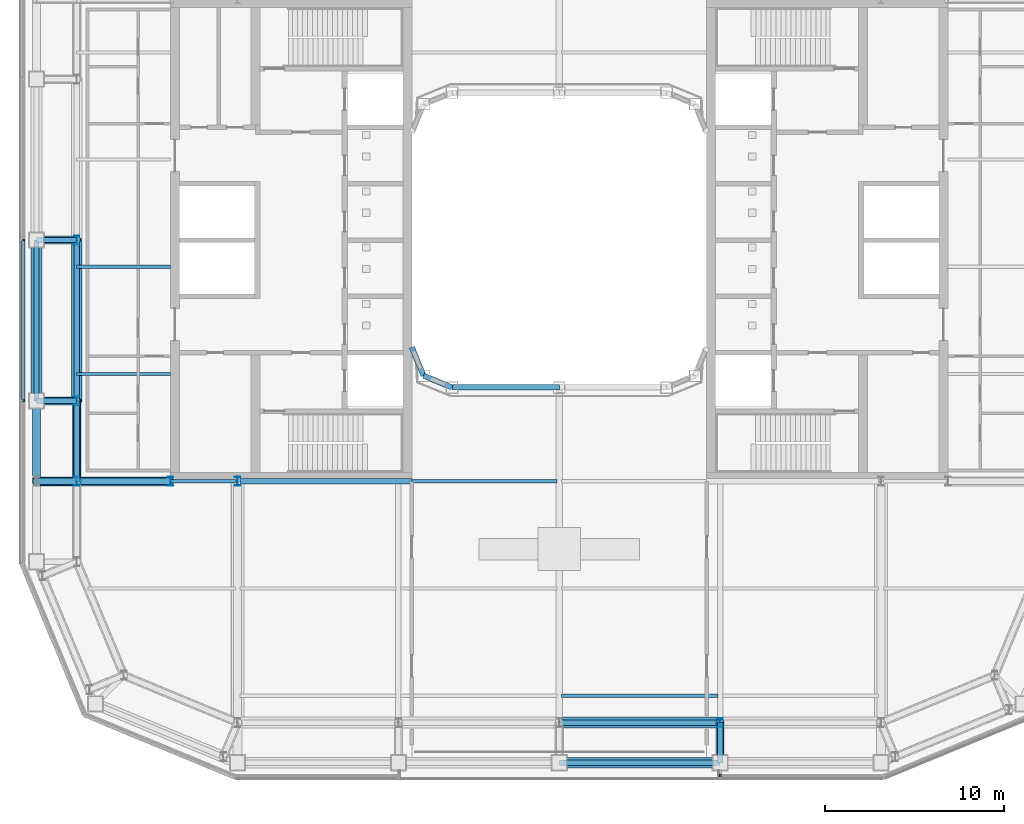
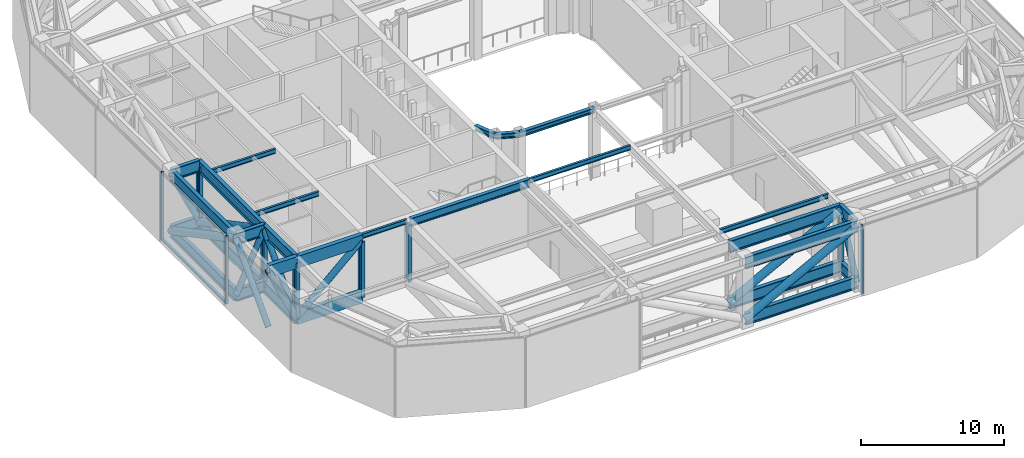
# One storey, part 3 of 22: 28 beams, 21 members, 2 elements without a shape of their own.
"""IFC4 building model written with IfcOpenShell, lengths in metres."""

import ifcopenshell
import ifcopenshell.guid

model = None  # the IFC model being written
_history = None  # IfcOwnerHistory: only IFC2X3 demands one
_inside = {}  # id of a spatial element -> (the spatial element, [elements in it])
_under = {}  # id of a project, library or spatial element -> (it, [spatial elements below it])
_declared = {}  # id of a project -> (the project, [libraries it declares])
_typed = {}  # id of a type object -> (the type object, [elements of that type])
_made_of = {}  # id of a material, layer set ... -> (it, [elements and type objects made of it])


def new_model(schema):
    """Start an empty IFC model of exactly this schema.

    Asked for "IFC4X3", IfcOpenShell would pick the latest addendum, in which some entities
    have other attributes; the version numbers below select the first issue.
    IFC2X3 requires an IfcOwnerHistory on every rooted entity: one is made here for all.
    """
    global model, _history
    if schema == "IFC4X3":
        model = ifcopenshell.file(schema_version=(4, 3, 0, 0))
    else:
        model = ifcopenshell.file(schema=schema)
    _inside.clear()
    _under.clear()
    _declared.clear()
    _typed.clear()
    _made_of.clear()
    _history = None
    if model.schema == "IFC2X3":
        org = make("IfcOrganization", Name="unknown")
        user = make(
            "IfcPersonAndOrganization",
            ThePerson=make("IfcPerson", FamilyName="unknown"),
            TheOrganization=org,
        )
        app = make(
            "IfcApplication",
            ApplicationDeveloper=org,
            Version="unknown",
            ApplicationFullName="unknown",
            ApplicationIdentifier="unknown",
        )
        _history = make(
            "IfcOwnerHistory",
            OwningUser=user,
            OwningApplication=app,
            ChangeAction="ADDED",
            CreationDate=0,
        )
    return model


def make(cls, **values):
    """One entity of the class cls with the attributes given. An attribute that is None is left unset."""
    return model.create_entity(
        cls, **{name: value for name, value in values.items() if value is not None}
    )


def rooted(cls, **values):
    """An entity with a GlobalId (a new one), such as an element, a storey or a relation."""
    return make(cls, GlobalId=ifcopenshell.guid.new(), OwnerHistory=_history, **values)


def si_unit(unit_type, name, prefix=None):
    """IfcSIUnit, for example si_unit("LENGTHUNIT", "METRE", prefix="MILLI")."""
    return make("IfcSIUnit", UnitType=unit_type, Prefix=prefix, Name=name)


def assignment(units):
    """IfcUnitAssignment: the units of a project."""
    return None if units is None else make("IfcUnitAssignment", Units=units)


def point(xyz):
    """IfcCartesianPoint."""
    return None if xyz is None else make("IfcCartesianPoint", Coordinates=xyz)


def direction(xyz):
    """IfcDirection."""
    return None if xyz is None else make("IfcDirection", DirectionRatios=xyz)


def frame(location, z_axis=None, x_axis=None):
    """IfcAxis2Placement3D, a coordinate frame: its origin and axes. An axis left out is left unset."""
    return make(
        "IfcAxis2Placement3D",
        Location=point(location),
        Axis=direction(z_axis),
        RefDirection=direction(x_axis),
    )


def frame_2d(location, x_axis=None):
    """IfcAxis2Placement2D, a coordinate frame in the plane: its origin and x axis."""
    return make(
        "IfcAxis2Placement2D", Location=point(location), RefDirection=direction(x_axis)
    )


def origin():
    """The frame at (0, 0, 0) with its axes left unset."""
    return frame((0.0, 0.0, 0.0))


def origin_2d():
    """The frame at (0, 0) in the plane with its x axis left unset."""
    return frame_2d((0.0, 0.0))


def place(relative_to, where):
    """IfcLocalPlacement: puts the frame where relative to a parent placement (None: the world)."""
    return make(
        "IfcLocalPlacement", PlacementRelTo=relative_to, RelativePlacement=where
    )


def context(
    kind, dimensions, precision=None, world=None, true_north=None, identifier=None
):
    """IfcGeometricRepresentationContext, for example the 3D "Model" context."""
    return make(
        "IfcGeometricRepresentationContext",
        ContextIdentifier=identifier,
        ContextType=kind,
        CoordinateSpaceDimension=dimensions,
        Precision=precision,
        WorldCoordinateSystem=world,
        TrueNorth=true_north,
    )


def subcontext(parent, identifier, kind, view, scale=None):
    """IfcGeometricRepresentationSubContext, for example "Body" below "Model"."""
    return make(
        "IfcGeometricRepresentationSubContext",
        ContextIdentifier=identifier,
        ContextType=kind,
        ParentContext=parent,
        TargetScale=scale,
        TargetView=view,
    )


def project(units=None, contexts=None):
    """IfcProject with its units and contexts."""
    return rooted(
        "IfcProject",
        Name="project",
        RepresentationContexts=contexts,
        UnitsInContext=assignment(units),
    )


def spatial(cls, under=None, at=None, **own):
    """A site, building, storey or space (cls), placed at a placement, below another one or the project."""
    s = rooted(cls, ObjectPlacement=at, **own)
    if under is not None:
        _under.setdefault(under.id(), (under, []))[1].append(s)
    return s


def profile(cls, at=None, kind="AREA", **sizes):
    """A parametric profile (cls). Its sizes go by their IFC names, for example OverallWidth=200.0."""
    return make(cls, ProfileType=kind, Position=at, **sizes)


def rectangle(**sizes):
    """IfcRectangleProfileDef."""
    return profile("IfcRectangleProfileDef", **sizes)


def hollow_rectangle(**sizes):
    """IfcRectangleHollowProfileDef."""
    return profile("IfcRectangleHollowProfileDef", **sizes)


def hollow_circle(**sizes):
    """IfcCircleHollowProfileDef."""
    return profile("IfcCircleHollowProfileDef", **sizes)


def i_section(**sizes):
    """IfcIShapeProfileDef."""
    return profile("IfcIShapeProfileDef", **sizes)


def extrude(swept, where, along, depth):
    """IfcExtrudedAreaSolid: the profile swept, set in the frame where, extruded along a direction by depth."""
    return make(
        "IfcExtrudedAreaSolid",
        SweptArea=swept,
        Position=where,
        ExtrudedDirection=direction(along),
        Depth=depth,
    )


def shape(context_of_items, identifier, shape_type, items):
    """IfcShapeRepresentation: the items that make up one representation, for example the "Body"."""
    return make(
        "IfcShapeRepresentation",
        ContextOfItems=context_of_items,
        RepresentationIdentifier=identifier,
        RepresentationType=shape_type,
        Items=items,
    )


def material(Name=None, Category=None):
    """IfcMaterial."""
    return make("IfcMaterial", Name=Name, Category=Category)


def layer(
    of_material, thickness, ventilated=None, Name=None, Category=None, Priority=None
):
    """IfcMaterialLayer: one layer of a wall or slab, of a material (None: an air gap)."""
    return make(
        "IfcMaterialLayer",
        Material=of_material,
        LayerThickness=thickness,
        IsVentilated=ventilated,
        Name=Name,
        Category=Category,
        Priority=Priority,
    )


def layer_set(layers, Name=None):
    """IfcMaterialLayerSet."""
    return make("IfcMaterialLayerSet", MaterialLayers=layers, LayerSetName=Name)


def material_profile(
    of_material, cross_section, Name=None, Category=None, Priority=None
):
    """IfcMaterialProfile: a cross section and its material."""
    return make(
        "IfcMaterialProfile",
        Name=Name,
        Material=of_material,
        Profile=cross_section,
        Priority=Priority,
        Category=Category,
    )


def profile_set(profiles, Name=None, composite=None):
    """IfcMaterialProfileSet."""
    return make(
        "IfcMaterialProfileSet",
        Name=Name,
        MaterialProfiles=profiles,
        CompositeProfile=composite,
    )


def made_of(thing, what):
    """Note that an element or type object is made of a material, layer set ...; save() writes the relation."""
    if what is not None:
        _made_of.setdefault(what.id(), (what, []))[1].append(thing)
    return thing


def type_object(cls, material=None, **own):
    """A type object (cls), such as IfcWallType, which elements share."""
    return made_of(rooted(cls, **own), material)


def element(
    cls,
    number,
    at=None,
    inside=None,
    cuts=None,
    type_object=None,
    material=None,
    context=None,
    identifier="Body",
    shape_type=None,
    held_by="IfcProductDefinitionShape",
    body=None,
    shapes=None,
    **own,
):
    """One element of the class cls, such as IfcWall. Its Tag is "e" and its number.

    at: its placement. inside: the storey or other place that contains it. cuts: it is an
    opening in that element (IfcRelVoidsElement). A single representation is given by context,
    identifier, shape_type and body (its items); several are given by shapes. held_by: the class
    of the entity that holds the representations. save() writes the other relations.
    """
    e = rooted(cls, Tag="e%d" % number, ObjectPlacement=at, **own)
    if body is not None:
        shapes = [shape(context, identifier, shape_type, body)]
    if shapes is not None:
        e.Representation = make(held_by, Representations=shapes)
    if inside is not None:
        _inside.setdefault(inside.id(), (inside, []))[1].append(e)
    if cuts is not None:
        rooted(
            "IfcRelVoidsElement", RelatingBuildingElement=cuts, RelatedOpeningElement=e
        )
    if type_object is not None:
        _typed.setdefault(type_object.id(), (type_object, []))[1].append(e)
    return made_of(e, material)


def aggregate(whole, parts):
    """IfcRelAggregates: a whole, such as a stair, and the parts it consists of."""
    return rooted("IfcRelAggregates", RelatingObject=whole, RelatedObjects=parts)


def save(model, path):
    """Write the relations noted so far, then the file.

    IfcRelAggregates (storeys below a building ...), IfcRelContainedInSpatialStructure (elements
    in a storey), IfcRelDefinesByType, IfcRelAssociatesMaterial and IfcRelDeclares: one each for
    every whole, place, type object, material and project.
    """
    for whole, parts in _under.values():
        aggregate(whole, parts)
    for where, things in _inside.values():
        rooted(
            "IfcRelContainedInSpatialStructure",
            RelatedElements=things,
            RelatingStructure=where,
        )
    for kind, things in _typed.values():
        rooted("IfcRelDefinesByType", RelatedObjects=things, RelatingType=kind)
    for what, things in _made_of.values():
        rooted("IfcRelAssociatesMaterial", RelatedObjects=things, RelatingMaterial=what)
    for by, libraries in _declared.values():
        rooted("IfcRelDeclares", RelatingContext=by, RelatedDefinitions=libraries)
    model.write(path)


model = new_model("IFC4")

# Units and contexts
model_context = context("Model", 3, precision=1e-05, world=origin(), true_north=direction((0.0, 1.0)))
body_context = subcontext(model_context, "Body", "Model", "MODEL_VIEW")
ifc_project = project(units=[si_unit("LENGTHUNIT", "METRE"), si_unit("AREAUNIT", "SQUARE_METRE"), si_unit("VOLUMEUNIT", "CUBIC_METRE"), si_unit("PLANEANGLEUNIT", "RADIAN"), si_unit("MASSUNIT", "GRAM", prefix="KILO")], contexts=[model_context])

# Site, building, storey
site_placement = place(None, origin())
site = spatial("IfcSite", under=ifc_project, at=site_placement, CompositionType="ELEMENT")
building_placement = place(site_placement, origin())
building = spatial("IfcBuilding", under=site, at=building_placement, Name="Siwar Civic Tower", CompositionType="ELEMENT")
storey_placement = place(building_placement, frame((0.0, 0.0, 181.199951171875)))
storey = spatial("IfcBuildingStorey", under=building, at=storey_placement, Name="L39", CompositionType="ELEMENT", Elevation=181.199951171875)

# Curtain wall, member
ifc_material_1 = material(Name="Aluminium and glass", Category="aluminium")
ifc_layer = layer(ifc_material_1, 0.199951171875)
ifc_layer_set = layer_set([ifc_layer], Name="Aluminium and glass")
curtain_wall_type = type_object("IfcCurtainWallType", Name="ENV-CW-P", PredefinedType="NOTDEFINED", material=ifc_layer_set)
curtain_wall_1_placement = place(storey_placement, origin())
curtain_wall_1 = element("IfcCurtainWall", 1, at=curtain_wall_1_placement, inside=storey, type_object=curtain_wall_type, Name="Curtain wall P S-03", PredefinedType="NOTDEFINED")
ifc_material_2 = material(Name="Aluminium 6063-T6", Category="aluminium")
ifc_material_profile_1 = material_profile(ifc_material_2, rectangle(XDim=0.199951171875, YDim=0.10009765625, at=origin_2d()), Name="AL 200x100")
ifc_profile_set_1 = profile_set([ifc_material_profile_1], Name="Aluminium 6063-T6")
member_type_1 = type_object("IfcMemberType", Name="ENV-MULLION-P", PredefinedType="MULLION", material=ifc_profile_set_1)
member_1_placement = place(storey_placement, frame((9.0, -30.0, 0.0), z_axis=(0.0, 0.0, 1.0), x_axis=(0.0, 1.0, 0.0)))
member_1 = element("IfcMember", 2, at=member_1_placement, type_object=member_type_1, Name="Mullion P S-03 1", PredefinedType="MULLION", context=body_context, shape_type="SweptSolid", body=[
    extrude(rectangle(XDim=0.199951171875, YDim=0.10009765625, at=origin_2d()), origin(), (0.0, 0.0, 1.0), 5.800048828125),
])
aggregate(curtain_wall_1, [member_1])

# Curtain wall, members
curtain_wall_2_placement = place(storey_placement, origin())
curtain_wall_2 = element("IfcCurtainWall", 3, at=curtain_wall_2_placement, inside=storey, type_object=curtain_wall_type, Name="Curtain wall P W", PredefinedType="NOTDEFINED")
member_2_placement = place(storey_placement, frame((-30.0, 0.0, 0.0), z_axis=(0.0, 0.0, 1.0), x_axis=(1.0, 0.0, 0.0)))
member_2 = element("IfcMember", 4, at=member_2_placement, type_object=member_type_1, Name="Mullion P W 3", PredefinedType="MULLION", context=body_context, shape_type="SweptSolid", body=[
    extrude(rectangle(XDim=0.199951171875, YDim=0.10009765625, at=origin_2d()), origin(), (0.0, 0.0, 1.0), 5.800048828125),
])
member_3_placement = place(storey_placement, frame((-30.0, -9.0, 0.0), z_axis=(0.0, 0.0, 1.0), x_axis=(1.0, 0.0, 0.0)))
member_3 = element("IfcMember", 5, at=member_3_placement, type_object=member_type_1, Name="Mullion P W 4", PredefinedType="MULLION", context=body_context, shape_type="SweptSolid", body=[
    extrude(rectangle(XDim=0.199951171875, YDim=0.10009765625, at=origin_2d()), origin(), (0.0, 0.0, 1.0), 5.800048828125),
])
ifc_material_3 = material(Name="Aluminium 6063-T6", Category="aluminium")
ifc_material_profile_2 = material_profile(ifc_material_3, rectangle(XDim=0.199951171875, YDim=0.1201171875, at=origin_2d()), Name="AL 200x120")
ifc_profile_set_2 = profile_set([ifc_material_profile_2], Name="Aluminium 6063-T6")
member_type_2 = type_object("IfcMemberType", Name="ENV-TRANSOM-P", PredefinedType="USERDEFINED", material=ifc_profile_set_2)
member_4_placement = place(storey_placement, frame((-30.0, -0.050048828125, 0.06005859375), z_axis=(0.0, -1.0, 0.0), x_axis=(1.0, 0.0, 0.0)))
member_4 = element("IfcMember", 6, at=member_4_placement, type_object=member_type_2, Name="Transom P W 3", ObjectType="TRANSOM", PredefinedType="USERDEFINED", context=body_context, shape_type="SweptSolid", body=[
    extrude(rectangle(XDim=0.199951171875, YDim=0.1201171875, at=origin_2d()), origin(), (0.0, 0.0, 1.0), 8.89990234375),
])
aggregate(curtain_wall_2, [member_2, member_3, member_4])

# Beams
ifc_material_4 = material(Name="Steel S460", Category="steel")
ifc_material_profile_3 = material_profile(ifc_material_4, i_section(OverallWidth=0.302001953125, OverallDepth=1.008056640625, WebThickness=0.02099609375, FlangeThickness=0.0400390625, FilletRadius=0.030029296875, at=origin_2d()), Name="HEM1000")
ifc_profile_set_3 = profile_set([ifc_material_profile_3], Name="Steel S460")
beam_type_1 = type_object("IfcBeamType", Name="STR-BELT-TRUSS-CHORD-HEM1000", PredefinedType="BEAM", material=ifc_profile_set_3)
for number, where, z_axis, x_axis, name in (
    (7, (0.0, -27.0, 0.504150390625), (1.0, 0.0, 0.0), (0.0, 1.0, 0.0), "Belt truss chord"),
    (8, (0.0, -27.0, 5.296142578125), (1.0, 0.0, 0.0), (0.0, 1.0, 0.0), "Belt truss chord"),
    (9, (-27.0, 0.0, 0.504150390625), (0.0, -1.0, 0.0), (1.0, 0.0, 0.0), "Belt truss chord"),
    (10, (-27.0, 0.0, 5.296142578125), (0.0, -1.0, 0.0), (1.0, 0.0, 0.0), "Belt truss chord"),
):
    element("IfcBeam", number, at=place(storey_placement, frame(where, z_axis=z_axis, x_axis=x_axis)), inside=storey, type_object=beam_type_1, Name=name, PredefinedType="BEAM", context=body_context, shape_type="SweptSolid", body=[
        extrude(i_section(OverallWidth=0.302001953125, OverallDepth=1.008056640625, WebThickness=0.02099609375, FlangeThickness=0.0400390625, FilletRadius=0.030029296875, at=origin_2d()), origin(), (0.0, 0.0, 1.0), 9.0),
    ])
for number, where, z_axis, x_axis, name in (
    (11, (-27.0, -9.0, 0.504150390625), (0.0, -1.0, 0.0), (1.0, 0.0, 0.0), "Belt truss chord"),
    (12, (-27.0, -9.0, 5.296142578125), (0.0, -1.0, 0.0), (1.0, 0.0, 0.0), "Belt truss chord"),
):
    element("IfcBeam", number, at=place(storey_placement, frame(where, z_axis=z_axis, x_axis=x_axis)), inside=storey, type_object=beam_type_1, Name=name, PredefinedType="BEAM", context=body_context, shape_type="SweptSolid", body=[
        extrude(i_section(OverallWidth=0.302001953125, OverallDepth=1.008056640625, WebThickness=0.02099609375, FlangeThickness=0.0400390625, FilletRadius=0.030029296875, at=origin_2d()), origin(), (0.0, 0.0, 1.0), 4.5),
    ])
for number, where, z_axis, x_axis, name in (
    (13, (0.0, -29.25, 0.504150390625), (1.0, 0.0, 0.0), (0.0, 1.0, 0.0), "Belt truss chord"),
    (14, (0.0, -29.25, 5.296142578125), (1.0, 0.0, 0.0), (0.0, 1.0, 0.0), "Belt truss chord"),
    (15, (-29.25, 0.0, 0.504150390625), (0.0, -1.0, 0.0), (1.0, 0.0, 0.0), "Belt truss chord"),
    (16, (-29.25, 0.0, 5.296142578125), (0.0, -1.0, 0.0), (1.0, 0.0, 0.0), "Belt truss chord"),
):
    element("IfcBeam", number, at=place(storey_placement, frame(where, z_axis=z_axis, x_axis=x_axis)), inside=storey, type_object=beam_type_1, Name=name, PredefinedType="BEAM", context=body_context, shape_type="SweptSolid", body=[
        extrude(i_section(OverallWidth=0.302001953125, OverallDepth=1.008056640625, WebThickness=0.02099609375, FlangeThickness=0.0400390625, FilletRadius=0.030029296875, at=origin_2d()), origin(), (0.0, 0.0, 1.0), 9.0),
    ])

# Members
ifc_material_5 = material(Name="Steel S355", Category="steel")
ifc_material_profile_4 = material_profile(ifc_material_5, hollow_circle(Radius=0.228515625, WallThickness=0.02001953125, at=origin_2d()), Name="CHS457x20")
ifc_profile_set_4 = profile_set([ifc_material_profile_4], Name="Steel S355")
member_type_3 = type_object("IfcMemberType", Name="STR-BELT-TRUSS-DIAGONAL-CHS457x20", PredefinedType="BRACE", material=ifc_profile_set_4)
for number, where, z_axis, x_axis, name in (
    (17, (-27.0, -13.50341796875, 0.50048828125), (0.0, 0.684545317859, 0.728970306526), (-1.0, 0.0, 0.0), "Belt truss diagonal"),
    (18, (-29.25, -13.50341796875, 0.50048828125), (0.0, 0.684545317859, 0.728970306526), (-1.0, 0.0, 0.0), "Belt truss diagonal"),
):
    element("IfcMember", number, at=place(storey_placement, frame(where, z_axis=z_axis, x_axis=x_axis)), inside=storey, type_object=member_type_3, Name=name, PredefinedType="BRACE", context=body_context, shape_type="SweptSolid", body=[
        extrude(hollow_circle(Radius=0.228515625, WallThickness=0.02001953125, at=origin_2d()), origin(), (0.0, 0.0, 1.0), 6.583740234375),
    ])
for number, where, z_axis, x_axis, name in (
    (19, (9.0, -29.252197265625, 0.49951171875), (0.0, 0.425038765055, 0.905175147803), (-1.0, 0.0, 0.0), "Belt truss diagonal"),
    (20, (-26.997802734375, 0.0, 0.49951171875), (-0.425038765055, 0.0, 0.905175147803), (0.0, -1.0, 0.0), "Belt truss diagonal"),
    (21, (-29.252197265625, -9.0, 0.49951171875), (0.425038765055, 0.0, 0.905175147803), (0.0, 1.0, 0.0), "Belt truss diagonal"),
):
    element("IfcMember", number, at=place(storey_placement, frame(where, z_axis=z_axis, x_axis=x_axis)), inside=storey, type_object=member_type_3, Name=name, PredefinedType="BRACE", context=body_context, shape_type="SweptSolid", body=[
        extrude(hollow_circle(Radius=0.228515625, WallThickness=0.02001953125, at=origin_2d()), origin(), (0.0, 0.0, 1.0), 5.303955078125),
    ])
ifc_material_6 = material(Name="Steel S355", Category="steel")
ifc_material_profile_5 = material_profile(ifc_material_6, hollow_circle(Radius=0.304931640625, WallThickness=0.030029296875, at=origin_2d()), Name="CHS610x30")
ifc_profile_set_5 = profile_set([ifc_material_profile_5], Name="Steel S355")
member_type_4 = type_object("IfcMemberType", Name="STR-BELT-TRUSS-DIAGONAL-CHS610x30", PredefinedType="BRACE", material=ifc_profile_set_5)
for number, where, z_axis, x_axis, name in (
    (22, (-0.00439453125, -27.0, 0.501708984375), (0.882680501151, 0.0, 0.469973544881), (0.0, 1.0, 0.0), "Belt truss diagonal"),
    (23, (-27.0, 0.00439453125, 0.501708984375), (0.0, -0.882680501151, 0.469973544881), (1.0, 0.0, 0.0), "Belt truss diagonal"),
    (24, (-0.00439453125, -29.25, 0.501708984375), (0.882680501151, 0.0, 0.469973544881), (0.0, 1.0, 0.0), "Belt truss diagonal"),
    (25, (-29.25, 0.00439453125, 0.501708984375), (0.0, -0.882680501151, 0.469973544881), (1.0, 0.0, 0.0), "Belt truss diagonal"),
):
    element("IfcMember", number, at=place(storey_placement, frame(where, z_axis=z_axis, x_axis=x_axis)), inside=storey, type_object=member_type_4, Name=name, PredefinedType="BRACE", context=body_context, shape_type="SweptSolid", body=[
        extrude(hollow_circle(Radius=0.304931640625, WallThickness=0.030029296875, at=origin_2d()), origin(), (0.0, 0.0, 1.0), 10.2060546875),
    ])

# Beams
ifc_material_7 = material(Name="Steel S460", Category="steel")
ifc_material_profile_6 = material_profile(ifc_material_7, i_section(OverallWidth=0.302001953125, OverallDepth=1.008056640625, WebThickness=0.02099609375, FlangeThickness=0.0400390625, FilletRadius=0.030029296875, at=origin_2d()), Name="HEM1000")
ifc_profile_set_6 = profile_set([ifc_material_profile_6], Name="Steel S460")
beam_type_2 = type_object("IfcBeamType", Name="STR-BELT-TRUSS-LADDER-CHORD-HEM1000", PredefinedType="BEAM", material=ifc_profile_set_6)
for number, where, z_axis, x_axis, name in (
    (26, (9.0, -27.0, 0.504150390625), (0.0, -1.0, 0.0), (1.0, 0.0, 0.0), "Belt truss ladder chord"),
    (27, (9.0, -27.0, 5.296142578125), (0.0, -1.0, 0.0), (1.0, 0.0, 0.0), "Belt truss ladder chord"),
    (28, (-27.0, 0.0, 0.504150390625), (-1.0, 0.0, 0.0), (0.0, -1.0, 0.0), "Belt truss ladder chord"),
    (29, (-27.0, 0.0, 5.296142578125), (-1.0, 0.0, 0.0), (0.0, -1.0, 0.0), "Belt truss ladder chord"),
    (30, (-27.0, -9.0, 0.504150390625), (-1.0, 0.0, 0.0), (0.0, -1.0, 0.0), "Belt truss ladder chord"),
    (31, (-27.0, -9.0, 5.296142578125), (-1.0, 0.0, 0.0), (0.0, -1.0, 0.0), "Belt truss ladder chord"),
):
    element("IfcBeam", number, at=place(storey_placement, frame(where, z_axis=z_axis, x_axis=x_axis)), inside=storey, type_object=beam_type_2, Name=name, PredefinedType="BEAM", context=body_context, shape_type="SweptSolid", body=[
        extrude(i_section(OverallWidth=0.302001953125, OverallDepth=1.008056640625, WebThickness=0.02099609375, FlangeThickness=0.0400390625, FilletRadius=0.030029296875, at=origin_2d()), origin(), (0.0, 0.0, 1.0), 2.25),
    ])

# Members
ifc_material_8 = material(Name="Steel S355", Category="steel")
ifc_material_profile_7 = material_profile(ifc_material_8, i_section(OverallWidth=0.300048828125, OverallDepth=0.5, WebThickness=0.014404296875, FlangeThickness=0.028076171875, FilletRadius=0.027099609375, at=origin_2d()), Name="HEB500")
ifc_profile_set_7 = profile_set([ifc_material_profile_7], Name="Steel S355")
member_type_5 = type_object("IfcMemberType", Name="STR-BELT-TRUSS-POST-HEB500", PredefinedType="POST", material=ifc_profile_set_7)
for number, where, z_axis, x_axis, name in (
    (32, (-27.0, -13.5, 0.504150390625), (0.0, 0.0, 1.0), (1.0, 0.0, 0.0), "Belt truss post"),
    (33, (-27.0, -9.0, 0.504150390625), (0.0, 0.0, 1.0), (1.0, 0.0, 0.0), "Belt truss post"),
    (34, (-27.0, 0.0, 0.504150390625), (0.0, 0.0, 1.0), (1.0, 0.0, 0.0), "Belt truss post"),
    (35, (9.0, -27.0, 0.504150390625), (0.0, 0.0, 1.0), (1.0, 0.0, 0.0), "Belt truss post"),
):
    element("IfcMember", number, at=place(storey_placement, frame(where, z_axis=z_axis, x_axis=x_axis)), inside=storey, type_object=member_type_5, Name=name, PredefinedType="POST", context=body_context, shape_type="SweptSolid", body=[
        extrude(i_section(OverallWidth=0.300048828125, OverallDepth=0.5, WebThickness=0.014404296875, FlangeThickness=0.028076171875, FilletRadius=0.027099609375, at=origin_2d()), origin(), (0.0, 0.0, 1.0), 4.7919921875),
    ])

# Beams
ifc_material_9 = material(Name="Steel S355", Category="steel")
ifc_material_profile_8 = material_profile(ifc_material_9, i_section(OverallWidth=0.179931640625, OverallDepth=0.39990234375, WebThickness=0.008544921875, FlangeThickness=0.013427734375, FilletRadius=0.02099609375, at=origin_2d()), Name="IPE400")
ifc_profile_set_8 = profile_set([ifc_material_profile_8], Name="Steel S355")
beam_type_3 = type_object("IfcBeamType", Name="STR-FB-IPE400", PredefinedType="JOIST", material=ifc_profile_set_8)
beam_1_placement = place(storey_placement, frame((0.1298828125, -25.5, 5.60009765625), z_axis=(1.0, 0.0, 0.0), x_axis=(0.0, 1.0, 0.0)))
element("IfcBeam", 36, at=beam_1_placement, inside=storey, type_object=beam_type_3, Name="L39/bm/F003", PredefinedType="JOIST", context=body_context, shape_type="SweptSolid", body=[
    extrude(i_section(OverallWidth=0.179931640625, OverallDepth=0.39990234375, WebThickness=0.008544921875, FlangeThickness=0.013427734375, FilletRadius=0.02099609375, at=origin_2d()), origin(), (0.0, 0.0, 1.0), 8.740234375),
])
beam_2_placement = place(storey_placement, frame((-21.75, -13.5, 5.60009765625), z_axis=(1.0, 0.0, 0.0), x_axis=(0.0, 1.0, 0.0)))
element("IfcBeam", 37, at=beam_2_placement, inside=storey, type_object=beam_type_3, Name="L39/bm/F011", PredefinedType="JOIST", context=body_context, shape_type="SweptSolid", body=[
    extrude(i_section(OverallWidth=0.179931640625, OverallDepth=0.39990234375, WebThickness=0.008544921875, FlangeThickness=0.013427734375, FilletRadius=0.02099609375, at=origin_2d()), origin(), (0.0, 0.0, 1.0), 3.6201171875),
])
beam_3_placement = place(storey_placement, frame((-8.25, -13.5, 5.60009765625), z_axis=(1.0, 0.0, 0.0), x_axis=(0.0, 1.0, 0.0)))
element("IfcBeam", 38, at=beam_3_placement, inside=storey, type_object=beam_type_3, Name="L39/bm/F013", PredefinedType="JOIST", context=body_context, shape_type="SweptSolid", body=[
    extrude(i_section(OverallWidth=0.179931640625, OverallDepth=0.39990234375, WebThickness=0.008544921875, FlangeThickness=0.013427734375, FilletRadius=0.02099609375, at=origin_2d()), origin(), (0.0, 0.0, 1.0), 8.1201171875),
])
for number, where, z_axis, x_axis, name in (
    (39, (-27.0, -7.5, 5.60009765625), (1.0, 0.0, 0.0), (0.0, 1.0, 0.0), "L39/bm/F017"),
    (40, (-27.0, -1.5, 5.60009765625), (1.0, 0.0, 0.0), (0.0, 1.0, 0.0), "L39/bm/F019"),
):
    element("IfcBeam", number, at=place(storey_placement, frame(where, z_axis=z_axis, x_axis=x_axis)), inside=storey, type_object=beam_type_3, Name=name, PredefinedType="JOIST", context=body_context, shape_type="SweptSolid", body=[
        extrude(i_section(OverallWidth=0.179931640625, OverallDepth=0.39990234375, WebThickness=0.008544921875, FlangeThickness=0.013427734375, FilletRadius=0.02099609375, at=origin_2d()), origin(), (0.0, 0.0, 1.0), 5.25),
    ])
ifc_material_10 = material(Name="Steel S460", Category="steel")
ifc_material_profile_9 = material_profile(ifc_material_10, hollow_rectangle(XDim=0.35009765625, YDim=1.008056640625, WallThickness=0.0400390625, at=origin_2d()), Name="BOX1008x350x40")
ifc_profile_set_9 = profile_set([ifc_material_profile_9], Name="Steel S460")
beam_type_4 = type_object("IfcBeamType", Name="STR-OUTRIGGER-TRUSS-CHORD-BOX1008x350x40", PredefinedType="BEAM", material=ifc_profile_set_9)
beam_4_placement = place(storey_placement, frame((-29.25, -13.5, 5.296142578125), z_axis=(1.0, 0.0, 0.0), x_axis=(0.0, 1.0, 0.0)))
element("IfcBeam", 41, at=beam_4_placement, inside=storey, type_object=beam_type_4, Name="Outrigger truss chord", PredefinedType="BEAM", context=body_context, shape_type="SweptSolid", body=[
    extrude(hollow_rectangle(XDim=0.35009765625, YDim=1.008056640625, WallThickness=0.0400390625, at=origin_2d()), origin(), (0.0, 0.0, 1.0), 2.25),
])
for number, where, z_axis, x_axis, name in (
    (42, (-27.0, -13.5, 0.504150390625), (1.0, 0.0, 0.0), (0.0, 1.0, 0.0), "Outrigger truss chord"),
    (43, (-27.0, -13.5, 5.296142578125), (1.0, 0.0, 0.0), (0.0, 1.0, 0.0), "Outrigger truss chord"),
):
    element("IfcBeam", number, at=place(storey_placement, frame(where, z_axis=z_axis, x_axis=x_axis)), inside=storey, type_object=beam_type_4, Name=name, PredefinedType="BEAM", context=body_context, shape_type="SweptSolid", body=[
        extrude(hollow_rectangle(XDim=0.35009765625, YDim=1.008056640625, WallThickness=0.0400390625, at=origin_2d()), origin(), (0.0, 0.0, 1.0), 5.25),
    ])

# Members
ifc_material_11 = material(Name="Steel S355", Category="steel")
ifc_material_profile_10 = material_profile(ifc_material_11, hollow_circle(Radius=0.25390625, WallThickness=0.02490234375, at=origin_2d()), Name="CHS508x25")
ifc_profile_set_10 = profile_set([ifc_material_profile_10], Name="Steel S355")
member_type_6 = type_object("IfcMemberType", Name="STR-OUTRIGGER-TRUSS-DIAGONAL-CHS508x25", PredefinedType="BRACE", material=ifc_profile_set_10)
member_5_placement = place(storey_placement, frame((-26.997802734375, -13.5, 0.49951171875), z_axis=(-0.425038765055, 0.0, 0.905175147803), x_axis=(0.0, -1.0, 0.0)))
element("IfcMember", 44, at=member_5_placement, inside=storey, type_object=member_type_6, Name="Outrigger truss diagonal", PredefinedType="BRACE", context=body_context, shape_type="SweptSolid", body=[
    extrude(hollow_circle(Radius=0.25390625, WallThickness=0.02490234375, at=origin_2d()), origin(), (0.0, 0.0, 1.0), 5.303955078125),
])
member_6_placement = place(storey_placement, frame((-27.003662109375, -13.5, 0.500732421875), z_axis=(0.738596124999, 0.0, 0.674148176691), x_axis=(0.0, 1.0, 0.0)))
element("IfcMember", 45, at=member_6_placement, inside=storey, type_object=member_type_6, Name="Outrigger truss diagonal", PredefinedType="BRACE", context=body_context, shape_type="SweptSolid", body=[
    extrude(hollow_circle(Radius=0.25390625, WallThickness=0.02490234375, at=origin_2d()), origin(), (0.0, 0.0, 1.0), 7.117919921875),
])
ifc_material_12 = material(Name="Steel S355", Category="steel")
ifc_material_profile_11 = material_profile(ifc_material_12, i_section(OverallWidth=0.300048828125, OverallDepth=0.5, WebThickness=0.014404296875, FlangeThickness=0.028076171875, FilletRadius=0.027099609375, at=origin_2d()), Name="HEB500")
ifc_profile_set_11 = profile_set([ifc_material_profile_11], Name="Steel S355")
member_type_7 = type_object("IfcMemberType", Name="STR-OUTRIGGER-TRUSS-POST-HEB500", PredefinedType="POST", material=ifc_profile_set_11)
for number, where, z_axis, x_axis, name in (
    (46, (-21.75, -13.5, 0.504150390625), (0.0, 0.0, 1.0), (1.0, 0.0, 0.0), "Outrigger truss post"),
    (47, (-18.0, -13.5, 0.504150390625), (0.0, 0.0, 1.0), (1.0, 0.0, 0.0), "Outrigger truss post"),
):
    element("IfcMember", number, at=place(storey_placement, frame(where, z_axis=z_axis, x_axis=x_axis)), inside=storey, type_object=member_type_7, Name=name, PredefinedType="POST", context=body_context, shape_type="SweptSolid", body=[
        extrude(i_section(OverallWidth=0.300048828125, OverallDepth=0.5, WebThickness=0.014404296875, FlangeThickness=0.028076171875, FilletRadius=0.027099609375, at=origin_2d()), origin(), (0.0, 0.0, 1.0), 4.7919921875),
    ])

# Beams
ifc_material_13 = material(Name="Steel S355", Category="steel")
ifc_material_profile_12 = material_profile(ifc_material_13, i_section(OverallWidth=0.300048828125, OverallDepth=0.699951171875, WebThickness=0.01708984375, FlangeThickness=0.031982421875, FilletRadius=0.027099609375, at=origin_2d()), Name="HEB700")
ifc_profile_set_12 = profile_set([ifc_material_profile_12], Name="Steel S355")
beam_type_5 = type_object("IfcBeamType", Name="STR-PG-HEB700", PredefinedType="BEAM", material=ifc_profile_set_12)
beam_5_placement = place(storey_placement, frame((-17.8701171875, -13.5, 5.449951171875), z_axis=(1.0, 0.0, 0.0), x_axis=(0.0, 1.0, 0.0)))
element("IfcBeam", 48, at=beam_5_placement, inside=storey, type_object=beam_type_5, Name="L39/bm/F012", PredefinedType="BEAM", context=body_context, shape_type="SweptSolid", body=[
    extrude(i_section(OverallWidth=0.300048828125, OverallDepth=0.699951171875, WebThickness=0.01708984375, FlangeThickness=0.031982421875, FilletRadius=0.027099609375, at=origin_2d()), origin(), (0.0, 0.0, 1.0), 9.6201171875),
])
ifc_material_14 = material(Name="Steel S355", Category="steel")
ifc_material_profile_13 = material_profile(ifc_material_14, i_section(OverallWidth=0.306884765625, OverallDepth=0.431884765625, WebThickness=0.02099609375, FlangeThickness=0.0400390625, FilletRadius=0.027099609375, at=origin_2d()), Name="HEM400")
ifc_profile_set_13 = profile_set([ifc_material_profile_13], Name="Steel S355")
beam_type_6 = type_object("IfcBeamType", Name="STR-RB-HEM400", PredefinedType="BEAM", material=ifc_profile_set_13)
beam_6_placement = place(storey_placement, frame((-7.591064453125, -7.591064453125, 5.583984375), z_axis=(0.923901072997, -0.382631424892, 0.0), x_axis=(0.382631424892, 0.923901072997, 0.0)))
element("IfcBeam", 49, at=beam_6_placement, inside=storey, type_object=beam_type_6, Name="L39/bm/RS0", PredefinedType="BEAM", context=body_context, shape_type="SweptSolid", body=[
    extrude(i_section(OverallWidth=0.306884765625, OverallDepth=0.431884765625, WebThickness=0.02099609375, FlangeThickness=0.0400390625, FilletRadius=0.027099609375, at=origin_2d()), origin(), (0.0, 0.0, 1.0), 1.72216796875),
])
beam_7_placement = place(storey_placement, frame((-6.0, -8.25, 5.583984375), z_axis=(1.0, 0.0, 0.0), x_axis=(0.0, 1.0, 0.0)))
element("IfcBeam", 50, at=beam_7_placement, inside=storey, type_object=beam_type_6, Name="L39/bm/RS1", PredefinedType="BEAM", context=body_context, shape_type="SweptSolid", body=[
    extrude(i_section(OverallWidth=0.306884765625, OverallDepth=0.431884765625, WebThickness=0.02099609375, FlangeThickness=0.0400390625, FilletRadius=0.027099609375, at=origin_2d()), origin(), (0.0, 0.0, 1.0), 6.0),
])
beam_8_placement = place(storey_placement, frame((-7.591064453125, -7.591064453125, 5.583984375), z_axis=(-0.382631424892, 0.923901072997, 0.0), x_axis=(-0.923901072997, -0.382631424892, 0.0)))
element("IfcBeam", 51, at=beam_8_placement, inside=storey, type_object=beam_type_6, Name="L39/bm/RSEW", PredefinedType="BEAM", context=body_context, shape_type="SweptSolid", body=[
    extrude(i_section(OverallWidth=0.306884765625, OverallDepth=0.431884765625, WebThickness=0.02099609375, FlangeThickness=0.0400390625, FilletRadius=0.027099609375, at=origin_2d()), origin(), (0.0, 0.0, 1.0), 1.72216796875),
])

save(model, "model.ifc")
